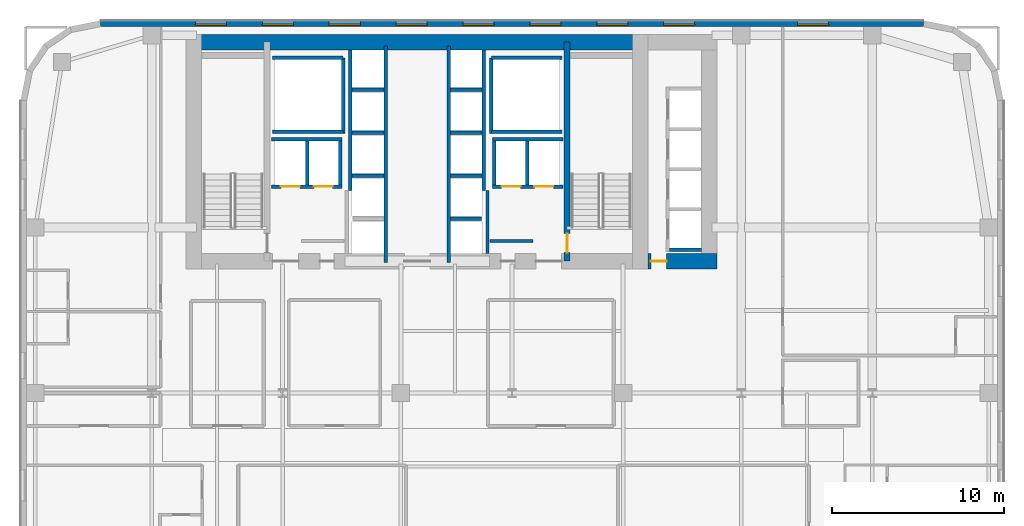
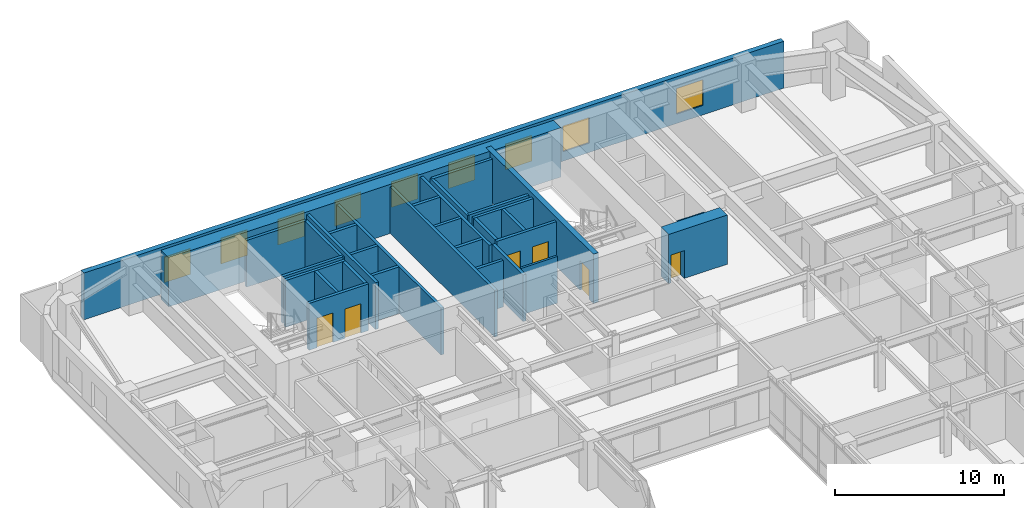
# One storey, part 18 of 25: 32 walls, 9 windows, 6 doors, 15 openings.
"""IFC4 building model written with IfcOpenShell, lengths in metres."""

from ifc_helpers import new_model, si_unit, direction, frame, frame_2d, origin, place, context, subcontext, project, spatial, rectangle, extrude, source, transform, mapped, material, layer, layer_set, type_object, type_shapes, element, fill, save


model = new_model("IFC4")

# Units and contexts
model_context = context("Model", 3, precision=1e-05, world=origin(), true_north=direction((0.0, 1.0)))
body_context = subcontext(model_context, "Body", "Model", "MODEL_VIEW")
ifc_project = project(units=[si_unit("LENGTHUNIT", "METRE"), si_unit("AREAUNIT", "SQUARE_METRE"), si_unit("VOLUMEUNIT", "CUBIC_METRE"), si_unit("PLANEANGLEUNIT", "RADIAN"), si_unit("MASSUNIT", "GRAM", prefix="KILO")], contexts=[model_context])

# Site, building, storey
site_placement = place(None, origin())
site = spatial("IfcSite", under=ifc_project, at=site_placement, CompositionType="ELEMENT")
building_placement = place(site_placement, origin())
building = spatial("IfcBuilding", under=site, at=building_placement, Name="Tolvann Quenvar Hotel", CompositionType="ELEMENT")
storey_placement = place(building_placement, frame((0.0, 0.0, 60.39990234375)))
storey = spatial("IfcBuildingStorey", under=building, at=storey_placement, Name="L14", CompositionType="ELEMENT", Elevation=60.39990234375)

# Wall
ifc_material_1 = material(Name="Concrete S80 (80 MPa)", Category="concrete")
ifc_layer_1 = layer(ifc_material_1, 0.89990234375)
ifc_layer_set_1 = layer_set([ifc_layer_1], Name="Concrete S80 (80 MPa)")
wall_type_1 = type_object("IfcWallType", Name="WALL_CORE_900", PredefinedType="SHEAR", material=ifc_layer_set_1)
wall_1_placement = place(storey_placement, frame((9.60009765625, 44.75, 0.0), z_axis=(0.0, 0.0, 1.0), x_axis=(1.0, 0.0, 0.0)))
element("IfcWall", 1, at=wall_1_placement, inside=storey, type_object=wall_type_1, Name="Rear Core N Shear Wall (L14)", PredefinedType="SHEAR", context=body_context, shape_type="SweptSolid", body=[
    extrude(rectangle(XDim=26.7998046875, YDim=0.89990234375, at=frame_2d((13.39990234375, 0.0))), origin(), (0.0, 0.0, 1.0), 3.550048828125),
])

# Wall, opening, door
wall_2_placement = place(storey_placement, frame((36.39990234375, 32.050048828125, 0.0), z_axis=(0.0, 0.0, 1.0), x_axis=(1.0, 0.0, 0.0)))
wall_2 = element("IfcWall", 2, at=wall_2_placement, inside=storey, type_object=wall_type_1, Name="Core East Annex Shear Wall ANN-S (L14)", PredefinedType="SHEAR", context=body_context, shape_type="SweptSolid", body=[
    extrude(rectangle(XDim=4.0, YDim=0.89990234375, at=frame_2d((2.0, 0.0))), origin(), (0.0, 0.0, 1.0), 3.550048828125),
])
opening_1_placement = place(wall_2_placement, frame((1.06982421875, 0.0, 0.0), z_axis=(0.0, 0.0, 1.0), x_axis=(-1.0, 0.0, 0.0)))
opening_1 = element("IfcOpeningElement", 3, at=opening_1_placement, cuts=wall_2, Name="Opening WD-01", PredefinedType="OPENING", context=body_context, shape_type="SweptSolid", body=[
    extrude(rectangle(XDim=0.919921875, YDim=2.010009765625, at=frame_2d((0.4599609375, 1.0048828125))), frame((0.0, 0.4599609375, 0.0), z_axis=(0.0, -1.0, 0.0), x_axis=(1.0, 0.0, 0.0)), (0.0, 0.0, 1.0), 0.919921875),
])
ifc_material_2 = material(Name="Solid-core American oak acoustic fire door leaf in steel frame", Category="steel")
door_type_1 = type_object("IfcDoorType", Name="DOOR_WC_920", OperationType="NOTDEFINED", PredefinedType="DOOR", material=ifc_material_2)
shared_shape_1 = source(origin(), body_context, "Body", "SweptSolid", [
    extrude(rectangle(XDim=0.919921875, YDim=2.010009765625, at=frame_2d((0.4599609375, 1.0048828125))), frame((0.0, 0.02490234375, 0.0), z_axis=(0.0, -1.0, 0.0), x_axis=(1.0, 0.0, 0.0)), (0.0, 0.0, 1.0), 0.050048828125),
])
type_shapes(door_type_1, [shared_shape_1])
door_1_placement = place(opening_1_placement, origin())
door_1 = element("IfcDoor", 4, at=door_1_placement, inside=storey, type_object=door_type_1, Name="Low-Rise Lift Lobby Fire Door (L14)", OperationType="SINGLE_SWING_RIGHT", OverallHeight=2.010009765625, OverallWidth=0.919921875, PredefinedType="DOOR", context=body_context, shape_type="MappedRepresentation", body=[
    mapped(shared_shape_1, transform((0.0, 0.0, 0.0), x_axis=(1.0, 0.0, 0.0), y_axis=(0.0, 1.0, 0.0), z_axis=(0.0, 0.0, 1.0), scale=1.0)),
])
fill(opening_1, door_1)

ifc_material_3 = material(Name="Concrete S65 (65 MPa)", Category="concrete")
ifc_layer_2 = layer(ifc_material_3, 0.35009765625)
ifc_layer_set_2 = layer_set([ifc_layer_2], Name="Concrete S65 (65 MPa)")
wall_type_2 = type_object("IfcWallType", Name="WALL_CORE_INT_350", PredefinedType="SHEAR", material=ifc_layer_set_2)
wall_3_placement = place(storey_placement, frame((31.699951171875, 32.050048828125, 0.0), z_axis=(0.0, 0.0, 1.0), x_axis=(0.0, 1.0, 0.0)))
wall_3 = element("IfcWall", 5, at=wall_3_placement, inside=storey, type_object=wall_type_2, Name="Core Internal Web Shear Wall WEB-E (L14)", PredefinedType="SHEAR", context=body_context, shape_type="SweptSolid", body=[
    extrude(rectangle(XDim=12.699951171875, YDim=0.35009765625, at=frame_2d((6.35009765625, 0.0))), origin(), (0.0, 0.0, 1.0), 3.550048828125),
])
opening_2_placement = place(wall_3_placement, frame((1.60009765625, 0.0, 0.0), z_axis=(0.0, 0.0, 1.0), x_axis=(-1.0, 0.0, 0.0)))
opening_2 = element("IfcOpeningElement", 6, at=opening_2_placement, cuts=wall_3, Name="Opening FD-120", PredefinedType="OPENING", context=body_context, shape_type="SweptSolid", body=[
    extrude(rectangle(XDim=1.10009765625, YDim=2.1201171875, at=frame_2d((0.550048828125, 1.06005859375))), frame((0.0, 0.18505859375, 0.0), z_axis=(0.0, -1.0, 0.0), x_axis=(1.0, 0.0, 0.0)), (0.0, 0.0, 1.0), 0.3701171875),
])
ifc_material_4 = material(Name="Pressed galvanised steel fire-rated door set", Category="steel")
door_type_2 = type_object("IfcDoorType", Name="DOOR_FIRE_STAIR_1100", OperationType="NOTDEFINED", PredefinedType="DOOR", material=ifc_material_4)
shared_shape_2 = source(origin(), body_context, "Body", "SweptSolid", [
    extrude(rectangle(XDim=1.10009765625, YDim=2.1201171875, at=frame_2d((0.550048828125, 1.06005859375))), frame((0.0, 0.02490234375, 0.0), z_axis=(0.0, -1.0, 0.0), x_axis=(1.0, 0.0, 0.0)), (0.0, 0.0, 1.0), 0.050048828125),
])
type_shapes(door_type_2, [shared_shape_2])
door_2_placement = place(opening_2_placement, origin())
door_2 = element("IfcDoor", 7, at=door_2_placement, inside=storey, type_object=door_type_2, Name="Exit Stair ST-C2 Fire Door (L14)", OperationType="SINGLE_SWING_LEFT", OverallHeight=2.1201171875, OverallWidth=1.10009765625, PredefinedType="DOOR", context=body_context, shape_type="MappedRepresentation", body=[
    mapped(shared_shape_2, transform((0.0, 0.0, 0.0), x_axis=(1.0, 0.0, 0.0), y_axis=(0.0, 1.0, 0.0), z_axis=(0.0, 0.0, 1.0), scale=1.0)),
])
fill(opening_2, door_2)

# Wall, openings, windows
ifc_material_5 = material(Name="Kiln-fired red and buff architectural clay brickwork and terracotta masonry", Category="masonry")
ifc_layer_3 = layer(ifc_material_5, 0.35009765625)
ifc_layer_set_3 = layer_set([ifc_layer_3], Name="Kiln-fired red and buff architectural clay brickwork and terracotta masonry")
wall_type_3 = type_object("IfcWallType", Name="WALL_EXT_BRICK_350", PredefinedType="SOLIDWALL", material=ifc_layer_set_3)
wall_4_placement = place(storey_placement, frame((52.3828125, 45.824951171875, 0.0), z_axis=(0.0, 0.0, 1.0), x_axis=(-1.0, 0.0, 0.0)))
wall_4 = element("IfcWall", 8, at=wall_4_placement, inside=storey, type_object=wall_type_3, Name="Exterior Chicago Brick Wall L14-E18", PredefinedType="SOLIDWALL", context=body_context, shape_type="SweptSolid", body=[
    extrude(rectangle(XDim=47.765625, YDim=0.35009765625, at=frame_2d((23.8828125, 0.0))), origin(), (0.0, 0.0, 1.0), 3.3701171875),
])
opening_3_placement = place(wall_4_placement, frame((5.52099609375, 0.0, 0.679931640625)))
opening_3 = element("IfcOpeningElement", 9, at=opening_3_placement, cuts=wall_4, Name="Opening W-03", PredefinedType="OPENING", context=body_context, shape_type="SweptSolid", body=[
    extrude(rectangle(XDim=1.800048828125, YDim=1.85009765625, at=frame_2d((0.89990234375, 0.925048828125))), frame((0.0, 0.18505859375, 0.0), z_axis=(0.0, -1.0, 0.0), x_axis=(1.0, 0.0, 0.0)), (0.0, 0.0, 1.0), 0.3701171875),
])
opening_4_placement = place(wall_4_placement, frame((13.281982421875, 0.0, 0.679931640625)))
opening_4 = element("IfcOpeningElement", 10, at=opening_4_placement, cuts=wall_4, Name="Opening W-03", PredefinedType="OPENING", context=body_context, shape_type="SweptSolid", body=[
    extrude(rectangle(XDim=1.800048828125, YDim=1.85009765625, at=frame_2d((0.89990234375, 0.925048828125))), frame((0.0, 0.18505859375, 0.0), z_axis=(0.0, -1.0, 0.0), x_axis=(1.0, 0.0, 0.0)), (0.0, 0.0, 1.0), 0.3701171875),
])
opening_5_placement = place(wall_4_placement, frame((17.162109375, 0.0, 0.679931640625)))
opening_5 = element("IfcOpeningElement", 11, at=opening_5_placement, cuts=wall_4, Name="Opening W-03", PredefinedType="OPENING", context=body_context, shape_type="SweptSolid", body=[
    extrude(rectangle(XDim=1.800048828125, YDim=1.85009765625, at=frame_2d((0.89990234375, 0.925048828125))), frame((0.0, 0.18505859375, 0.0), z_axis=(0.0, -1.0, 0.0), x_axis=(1.0, 0.0, 0.0)), (0.0, 0.0, 1.0), 0.3701171875),
])
opening_6_placement = place(wall_4_placement, frame((21.04296875, 0.0, 0.679931640625)))
opening_6 = element("IfcOpeningElement", 12, at=opening_6_placement, cuts=wall_4, Name="Opening W-03", PredefinedType="OPENING", context=body_context, shape_type="SweptSolid", body=[
    extrude(rectangle(XDim=1.800048828125, YDim=1.85009765625, at=frame_2d((0.89990234375, 0.925048828125))), frame((0.0, 0.18505859375, 0.0), z_axis=(0.0, -1.0, 0.0), x_axis=(1.0, 0.0, 0.0)), (0.0, 0.0, 1.0), 0.3701171875),
])
opening_7_placement = place(wall_4_placement, frame((24.923095703125, 0.0, 0.679931640625)))
opening_7 = element("IfcOpeningElement", 13, at=opening_7_placement, cuts=wall_4, Name="Opening W-03", PredefinedType="OPENING", context=body_context, shape_type="SweptSolid", body=[
    extrude(rectangle(XDim=1.800048828125, YDim=1.85009765625, at=frame_2d((0.89990234375, 0.925048828125))), frame((0.0, 0.18505859375, 0.0), z_axis=(0.0, -1.0, 0.0), x_axis=(1.0, 0.0, 0.0)), (0.0, 0.0, 1.0), 0.3701171875),
])
opening_8_placement = place(wall_4_placement, frame((28.803955078125, 0.0, 0.679931640625)))
opening_8 = element("IfcOpeningElement", 14, at=opening_8_placement, cuts=wall_4, Name="Opening W-03", PredefinedType="OPENING", context=body_context, shape_type="SweptSolid", body=[
    extrude(rectangle(XDim=1.800048828125, YDim=1.85009765625, at=frame_2d((0.89990234375, 0.925048828125))), frame((0.0, 0.18505859375, 0.0), z_axis=(0.0, -1.0, 0.0), x_axis=(1.0, 0.0, 0.0)), (0.0, 0.0, 1.0), 0.3701171875),
])
opening_9_placement = place(wall_4_placement, frame((32.68408203125, 0.0, 0.679931640625)))
opening_9 = element("IfcOpeningElement", 15, at=opening_9_placement, cuts=wall_4, Name="Opening W-03", PredefinedType="OPENING", context=body_context, shape_type="SweptSolid", body=[
    extrude(rectangle(XDim=1.800048828125, YDim=1.85009765625, at=frame_2d((0.89990234375, 0.925048828125))), frame((0.0, 0.18505859375, 0.0), z_axis=(0.0, -1.0, 0.0), x_axis=(1.0, 0.0, 0.0)), (0.0, 0.0, 1.0), 0.3701171875),
])
opening_10_placement = place(wall_4_placement, frame((36.56396484375, 0.0, 0.679931640625)))
opening_10 = element("IfcOpeningElement", 16, at=opening_10_placement, cuts=wall_4, Name="Opening W-03", PredefinedType="OPENING", context=body_context, shape_type="SweptSolid", body=[
    extrude(rectangle(XDim=1.800048828125, YDim=1.85009765625, at=frame_2d((0.89990234375, 0.925048828125))), frame((0.0, 0.18505859375, 0.0), z_axis=(0.0, -1.0, 0.0), x_axis=(1.0, 0.0, 0.0)), (0.0, 0.0, 1.0), 0.3701171875),
])
opening_11_placement = place(wall_4_placement, frame((40.445068359375, 0.0, 0.679931640625)))
opening_11 = element("IfcOpeningElement", 17, at=opening_11_placement, cuts=wall_4, Name="Opening W-03", PredefinedType="OPENING", context=body_context, shape_type="SweptSolid", body=[
    extrude(rectangle(XDim=1.800048828125, YDim=1.85009765625, at=frame_2d((0.89990234375, 0.925048828125))), frame((0.0, 0.18505859375, 0.0), z_axis=(0.0, -1.0, 0.0), x_axis=(1.0, 0.0, 0.0)), (0.0, 0.0, 1.0), 0.3701171875),
])
ifc_material_6 = material(Name="Thermally broken bronze-anodised aluminium frame with double low-E glazing", Category="aluminium")
window_type = type_object("IfcWindowType", Name="WIN_CHI_1800x2050", PartitioningType="TRIPLE_PANEL_HORIZONTAL", PredefinedType="WINDOW", material=ifc_material_6)
shared_shape_3 = source(origin(), body_context, "Body", "SweptSolid", [
    extrude(rectangle(XDim=1.800048828125, YDim=1.85009765625, at=frame_2d((0.89990234375, 0.925048828125))), frame((0.0, 0.090087890625, 0.0), z_axis=(0.0, -1.0, 0.0), x_axis=(1.0, 0.0, 0.0)), (0.0, 0.0, 1.0), 0.06005859375),
])
type_shapes(window_type, [shared_shape_3])
window_1_placement = place(opening_3_placement, origin())
window_1 = element("IfcWindow", 18, at=window_1_placement, inside=storey, type_object=window_type, Name="Chicago Window W-03 (EW-L14-E18-W01)", OverallHeight=1.85009765625, OverallWidth=1.800048828125, PartitioningType="TRIPLE_PANEL_HORIZONTAL", PredefinedType="WINDOW", context=body_context, shape_type="MappedRepresentation", body=[
    mapped(shared_shape_3, transform((0.0, 0.0, 0.0), x_axis=(1.0, 0.0, 0.0), y_axis=(0.0, 1.0, 0.0), z_axis=(0.0, 0.0, 1.0), scale=1.0)),
])
fill(opening_3, window_1)
window_2_placement = place(opening_4_placement, origin())
window_2 = element("IfcWindow", 19, at=window_2_placement, inside=storey, type_object=window_type, Name="Chicago Window W-03 (EW-L14-E18-W02)", OverallHeight=1.85009765625, OverallWidth=1.800048828125, PartitioningType="TRIPLE_PANEL_HORIZONTAL", PredefinedType="WINDOW", context=body_context, shape_type="MappedRepresentation", body=[
    mapped(shared_shape_3, transform((0.0, 0.0, 0.0), x_axis=(1.0, 0.0, 0.0), y_axis=(0.0, 1.0, 0.0), z_axis=(0.0, 0.0, 1.0), scale=1.0)),
])
fill(opening_4, window_2)
window_3_placement = place(opening_5_placement, origin())
window_3 = element("IfcWindow", 20, at=window_3_placement, inside=storey, type_object=window_type, Name="Chicago Window W-03 (EW-L14-E18-W03)", OverallHeight=1.85009765625, OverallWidth=1.800048828125, PartitioningType="TRIPLE_PANEL_HORIZONTAL", PredefinedType="WINDOW", context=body_context, shape_type="MappedRepresentation", body=[
    mapped(shared_shape_3, transform((0.0, 0.0, 0.0), x_axis=(1.0, 0.0, 0.0), y_axis=(0.0, 1.0, 0.0), z_axis=(0.0, 0.0, 1.0), scale=1.0)),
])
fill(opening_5, window_3)
window_4_placement = place(opening_6_placement, origin())
window_4 = element("IfcWindow", 21, at=window_4_placement, inside=storey, type_object=window_type, Name="Chicago Window W-03 (EW-L14-E18-W04)", OverallHeight=1.85009765625, OverallWidth=1.800048828125, PartitioningType="TRIPLE_PANEL_HORIZONTAL", PredefinedType="WINDOW", context=body_context, shape_type="MappedRepresentation", body=[
    mapped(shared_shape_3, transform((0.0, 0.0, 0.0), x_axis=(1.0, 0.0, 0.0), y_axis=(0.0, 1.0, 0.0), z_axis=(0.0, 0.0, 1.0), scale=1.0)),
])
fill(opening_6, window_4)
window_5_placement = place(opening_7_placement, origin())
window_5 = element("IfcWindow", 22, at=window_5_placement, inside=storey, type_object=window_type, Name="Chicago Window W-03 (EW-L14-E18-W05)", OverallHeight=1.85009765625, OverallWidth=1.800048828125, PartitioningType="TRIPLE_PANEL_HORIZONTAL", PredefinedType="WINDOW", context=body_context, shape_type="MappedRepresentation", body=[
    mapped(shared_shape_3, transform((0.0, 0.0, 0.0), x_axis=(1.0, 0.0, 0.0), y_axis=(0.0, 1.0, 0.0), z_axis=(0.0, 0.0, 1.0), scale=1.0)),
])
fill(opening_7, window_5)
window_6_placement = place(opening_8_placement, origin())
window_6 = element("IfcWindow", 23, at=window_6_placement, inside=storey, type_object=window_type, Name="Chicago Window W-03 (EW-L14-E18-W06)", OverallHeight=1.85009765625, OverallWidth=1.800048828125, PartitioningType="TRIPLE_PANEL_HORIZONTAL", PredefinedType="WINDOW", context=body_context, shape_type="MappedRepresentation", body=[
    mapped(shared_shape_3, transform((0.0, 0.0, 0.0), x_axis=(1.0, 0.0, 0.0), y_axis=(0.0, 1.0, 0.0), z_axis=(0.0, 0.0, 1.0), scale=1.0)),
])
fill(opening_8, window_6)
window_7_placement = place(opening_9_placement, origin())
window_7 = element("IfcWindow", 24, at=window_7_placement, inside=storey, type_object=window_type, Name="Chicago Window W-03 (EW-L14-E18-W07)", OverallHeight=1.85009765625, OverallWidth=1.800048828125, PartitioningType="TRIPLE_PANEL_HORIZONTAL", PredefinedType="WINDOW", context=body_context, shape_type="MappedRepresentation", body=[
    mapped(shared_shape_3, transform((0.0, 0.0, 0.0), x_axis=(1.0, 0.0, 0.0), y_axis=(0.0, 1.0, 0.0), z_axis=(0.0, 0.0, 1.0), scale=1.0)),
])
fill(opening_9, window_7)
window_8_placement = place(opening_10_placement, origin())
window_8 = element("IfcWindow", 25, at=window_8_placement, inside=storey, type_object=window_type, Name="Chicago Window W-03 (EW-L14-E18-W08)", OverallHeight=1.85009765625, OverallWidth=1.800048828125, PartitioningType="TRIPLE_PANEL_HORIZONTAL", PredefinedType="WINDOW", context=body_context, shape_type="MappedRepresentation", body=[
    mapped(shared_shape_3, transform((0.0, 0.0, 0.0), x_axis=(1.0, 0.0, 0.0), y_axis=(0.0, 1.0, 0.0), z_axis=(0.0, 0.0, 1.0), scale=1.0)),
])
fill(opening_10, window_8)
window_9_placement = place(opening_11_placement, origin())
window_9 = element("IfcWindow", 26, at=window_9_placement, inside=storey, type_object=window_type, Name="Chicago Window W-03 (EW-L14-E18-W09)", OverallHeight=1.85009765625, OverallWidth=1.800048828125, PartitioningType="TRIPLE_PANEL_HORIZONTAL", PredefinedType="WINDOW", context=body_context, shape_type="MappedRepresentation", body=[
    mapped(shared_shape_3, transform((0.0, 0.0, 0.0), x_axis=(1.0, 0.0, 0.0), y_axis=(0.0, 1.0, 0.0), z_axis=(0.0, 0.0, 1.0), scale=1.0)),
])
fill(opening_11, window_9)

# Walls
ifc_material_7 = material(Name="Acoustic twin-stud fire-rated gypsum plasterboard partition")
ifc_layer_4 = layer(ifc_material_7, 0.14990234375)
ifc_layer_set_4 = layer_set([ifc_layer_4], Name="Acoustic twin-stud fire-rated gypsum plasterboard partition")
wall_type_4 = type_object("IfcWallType", Name="WALL_PART_SUITE_150", PredefinedType="PARTITIONING", material=ifc_layer_set_4)
wall_5_placement = place(storey_placement, frame((27.235107421875, 33.219970703125, 0.0), z_axis=(0.0, 0.0, 1.0), x_axis=(1.0, 0.0, 0.0)))
element("IfcWall", 27, at=wall_5_placement, inside=storey, type_object=wall_type_4, Name="Interior Partition PT-SPC-L14-CSE-2-N", PredefinedType="PARTITIONING", context=body_context, shape_type="SweptSolid", body=[
    extrude(rectangle(XDim=2.48486328125, YDim=0.14990234375, at=frame_2d((1.242431640625, 0.0))), origin(), (0.0, 0.0, 1.0), 3.3701171875),
])
ifc_material_8 = material(Name="Concrete N40 (40 MPa)", Category="concrete")
ifc_layer_5 = layer(ifc_material_8, 0.199951171875)
ifc_layer_set_5 = layer_set([ifc_layer_5], Name="Concrete N40 (40 MPa)")
wall_type_5 = type_object("IfcWallType", Name="WALL_SHAFT_200", PredefinedType="SOLIDWALL", material=ifc_layer_set_5)
wall_6_placement = place(storey_placement, frame((18.699951171875, 39.449951171875, 0.0), z_axis=(0.0, 0.0, 1.0), x_axis=(0.0, 1.0, 0.0)))
element("IfcWall", 28, at=wall_6_placement, inside=storey, type_object=wall_type_5, Name="Service Riser W Shaft Wall IN (L14)", PredefinedType="SOLIDWALL", context=body_context, shape_type="SweptSolid", body=[
    extrude(rectangle(XDim=4.400146484375, YDim=0.199951171875, at=frame_2d((2.2001953125, 0.0))), origin(), (0.0, 0.0, 1.0), 3.3701171875),
])
for number, where, z_axis, x_axis, name in (
    (29, (14.60009765625, 39.550048828125, 0.0), (0.0, 0.0, 1.0), (1.0, 0.0, 0.0), "Service Riser W Shaft Wall S (L14)"),
    (30, (14.60009765625, 43.85009765625, 0.0), (0.0, 0.0, 1.0), (1.0, 0.0, 0.0), "Service Riser W Shaft Wall N (L14)"),
):
    element("IfcWall", number, at=place(storey_placement, frame(where, z_axis=z_axis, x_axis=x_axis)), inside=storey, type_object=wall_type_5, Name=name, PredefinedType="SOLIDWALL", context=body_context, shape_type="SweptSolid", body=[
        extrude(rectangle(XDim=4.099853515625, YDim=0.199951171875, at=frame_2d((2.0498046875, 0.0))), origin(), (0.0, 0.0, 1.0), 3.3701171875),
    ])
wall_7_placement = place(storey_placement, frame((27.300048828125, 39.449951171875, 0.0), z_axis=(0.0, 0.0, 1.0), x_axis=(0.0, 1.0, 0.0)))
element("IfcWall", 31, at=wall_7_placement, inside=storey, type_object=wall_type_5, Name="Service Riser E Shaft Wall IN (L14)", PredefinedType="SOLIDWALL", context=body_context, shape_type="SweptSolid", body=[
    extrude(rectangle(XDim=4.400146484375, YDim=0.199951171875, at=frame_2d((2.2001953125, 0.0))), origin(), (0.0, 0.0, 1.0), 3.3701171875),
])
for number, where, z_axis, x_axis, name in (
    (32, (27.300048828125, 39.550048828125, 0.0), (0.0, 0.0, 1.0), (1.0, 0.0, 0.0), "Service Riser E Shaft Wall S (L14)"),
    (33, (27.300048828125, 43.85009765625, 0.0), (0.0, 0.0, 1.0), (1.0, 0.0, 0.0), "Service Riser E Shaft Wall N (L14)"),
):
    element("IfcWall", number, at=place(storey_placement, frame(where, z_axis=z_axis, x_axis=x_axis)), inside=storey, type_object=wall_type_5, Name=name, PredefinedType="SOLIDWALL", context=body_context, shape_type="SweptSolid", body=[
        extrude(rectangle(XDim=4.099853515625, YDim=0.199951171875, at=frame_2d((2.0498046875, 0.0))), origin(), (0.0, 0.0, 1.0), 3.3701171875),
    ])
wall_8_placement = place(storey_placement, frame((27.080078125, 32.50390625, 0.0), z_axis=(0.0, 0.0, 1.0), x_axis=(0.0, 1.0, 0.0)))
element("IfcWall", 34, at=wall_8_placement, inside=storey, type_object=wall_type_5, Name="Firefighting Lobby E Inner Fire Wall (L14)", PredefinedType="SOLIDWALL", context=body_context, shape_type="SweptSolid", body=[
    extrude(rectangle(XDim=3.64599609375, YDim=0.199951171875, at=frame_2d((1.822998046875, 0.0))), origin(), (0.0, 0.0, 1.0), 3.3701171875),
])
wall_9_placement = place(storey_placement, frame((21.169921875, 31.9599609375, 0.0), z_axis=(0.0, 0.0, 1.0), x_axis=(0.0, 1.0, 0.0)))
element("IfcWall", 35, at=wall_9_placement, inside=storey, type_object=wall_type_5, Name="Lift Bank E21.1C1 Hoistway Front Wall (L14)", PredefinedType="SOLIDWALL", context=body_context, shape_type="SweptSolid", body=[
    extrude(rectangle(XDim=12.580078125, YDim=0.199951171875, at=frame_2d((6.2900390625, 0.0))), origin(), (0.0, 0.0, 1.0), 3.3701171875),
])
wall_10_placement = place(storey_placement, frame((19.1298828125, 36.159912109375, 0.0), z_axis=(0.0, 0.0, 1.0), x_axis=(0.0, 1.0, 0.0)))
element("IfcWall", 36, at=wall_10_placement, inside=storey, type_object=wall_type_5, Name="Lift Bank E21.1C1 Hoistway Rear Wall (L14)", PredefinedType="SOLIDWALL", context=body_context, shape_type="SweptSolid", body=[
    extrude(rectangle(XDim=8.135986328125, YDim=0.199951171875, at=frame_2d((4.06787109375, 0.0))), origin(), (0.0, 0.0, 1.0), 3.3701171875),
])
for number, where, z_axis, x_axis, name in (
    (37, (19.22998046875, 37.0, 0.0), (0.0, 0.0, 1.0), (1.0, 0.0, 0.0), "Lift Bank E21.1C1 Divider Wall 2 (L14)"),
    (38, (19.22998046875, 39.5, 0.0), (0.0, 0.0, 1.0), (1.0, 0.0, 0.0), "Lift Bank E21.1C1 Divider Wall 3 (L14)"),
    (39, (19.22998046875, 42.0, 0.0), (0.0, 0.0, 1.0), (1.0, 0.0, 0.0), "Lift Bank E21.1C1 Divider Wall 4 (L14)"),
):
    element("IfcWall", number, at=place(storey_placement, frame(where, z_axis=z_axis, x_axis=x_axis)), inside=storey, type_object=wall_type_5, Name=name, PredefinedType="SOLIDWALL", context=body_context, shape_type="SweptSolid", body=[
        extrude(rectangle(XDim=1.840087890625, YDim=0.199951171875, at=frame_2d((0.919921875, 0.0))), origin(), (0.0, 0.0, 1.0), 3.3701171875),
    ])

# Wall, openings, doors
wall_11_placement = place(storey_placement, frame((27.375, 36.3798828125, 0.0), z_axis=(0.0, 0.0, 1.0), x_axis=(1.0, 0.0, 0.0)))
wall_11 = element("IfcWall", 40, at=wall_11_placement, inside=storey, type_object=wall_type_5, Name="Lift Bank SEC1 Hoistway Front Wall (L14)", PredefinedType="SOLIDWALL", context=body_context, shape_type="SweptSolid", body=[
    extrude(rectangle(XDim=4.074951171875, YDim=0.199951171875, at=frame_2d((2.03759765625, 0.0))), origin(), (0.0, 0.0, 1.0), 3.3701171875),
])
opening_12_placement = place(wall_11_placement, frame((0.52490234375, 0.0, 0.0)))
opening_12 = element("IfcOpeningElement", 41, at=opening_12_placement, cuts=wall_11, Name="Opening LD-01", PredefinedType="OPENING", context=body_context, shape_type="SweptSolid", body=[
    extrude(rectangle(XDim=1.10009765625, YDim=2.1201171875, at=frame_2d((0.550048828125, 1.06005859375))), frame((0.0, 0.10986328125, 0.0), z_axis=(0.0, -1.0, 0.0), x_axis=(1.0, 0.0, 0.0)), (0.0, 0.0, 1.0), 0.219970703125),
])
opening_13_placement = place(wall_11_placement, frame((2.425048828125, 0.0, 0.0)))
opening_13 = element("IfcOpeningElement", 42, at=opening_13_placement, cuts=wall_11, Name="Opening LD-01", PredefinedType="OPENING", context=body_context, shape_type="SweptSolid", body=[
    extrude(rectangle(XDim=1.10009765625, YDim=2.1201171875, at=frame_2d((0.550048828125, 1.06005859375))), frame((0.0, 0.10986328125, 0.0), z_axis=(0.0, -1.0, 0.0), x_axis=(1.0, 0.0, 0.0)), (0.0, 0.0, 1.0), 0.219970703125),
])
ifc_material_9 = material(Name="Brushed 316 stainless steel automatic sliding lift landing door", Category="steel")
door_type_3 = type_object("IfcDoorType", Name="DOOR_LIFT_SLIDE_1100", OperationType="NOTDEFINED", PredefinedType="DOOR", material=ifc_material_9)
shared_shape_4 = source(origin(), body_context, "Body", "SweptSolid", [
    extrude(rectangle(XDim=1.10009765625, YDim=2.1201171875, at=frame_2d((0.550048828125, 1.06005859375))), frame((0.0, 0.02490234375, 0.0), z_axis=(0.0, -1.0, 0.0), x_axis=(1.0, 0.0, 0.0)), (0.0, 0.0, 1.0), 0.050048828125),
])
type_shapes(door_type_3, [shared_shape_4])
door_3_placement = place(opening_12_placement, origin())
door_3 = element("IfcDoor", 43, at=door_3_placement, inside=storey, type_object=door_type_3, Name="Lift SV-2 Sliding Landing Door (L14)", OperationType="SLIDING_TO_LEFT", OverallHeight=2.1201171875, OverallWidth=1.10009765625, PredefinedType="DOOR", context=body_context, shape_type="MappedRepresentation", body=[
    mapped(shared_shape_4, transform((0.0, 0.0, 0.0), x_axis=(1.0, 0.0, 0.0), y_axis=(0.0, 1.0, 0.0), z_axis=(0.0, 0.0, 1.0), scale=1.0)),
])
fill(opening_12, door_3)
door_4_placement = place(opening_13_placement, origin())
door_4 = element("IfcDoor", 44, at=door_4_placement, inside=storey, type_object=door_type_3, Name="Lift FF-2 Sliding Landing Door (L14)", OperationType="SLIDING_TO_RIGHT", OverallHeight=2.1201171875, OverallWidth=1.10009765625, PredefinedType="DOOR", context=body_context, shape_type="MappedRepresentation", body=[
    mapped(shared_shape_4, transform((0.0, 0.0, 0.0), x_axis=(1.0, 0.0, 0.0), y_axis=(0.0, 1.0, 0.0), z_axis=(0.0, 0.0, 1.0), scale=1.0)),
])
fill(opening_13, door_4)

# Walls
wall_12_placement = place(storey_placement, frame((27.375, 39.1201171875, 0.0), z_axis=(0.0, 0.0, 1.0), x_axis=(1.0, 0.0, 0.0)))
element("IfcWall", 45, at=wall_12_placement, inside=storey, type_object=wall_type_5, Name="Lift Bank SEC1 Hoistway Rear Wall (L14)", PredefinedType="SOLIDWALL", context=body_context, shape_type="SweptSolid", body=[
    extrude(rectangle(XDim=4.074951171875, YDim=0.199951171875, at=frame_2d((2.03759765625, 0.0))), origin(), (0.0, 0.0, 1.0), 3.3701171875),
])
for number, where, z_axis, x_axis, name in (
    (46, (27.47509765625, 36.47998046875, 0.0), (0.0, 0.0, 1.0), (0.0, 1.0, 0.0), "Lift Bank SEC1 Hoistway Cheek Wall 1 (L14)"),
    (47, (29.387451171875, 36.47998046875, 0.0), (0.0, 0.0, 1.0), (0.0, 1.0, 0.0), "Lift Bank SEC1 Divider Wall 1 (L14)"),
):
    element("IfcWall", number, at=place(storey_placement, frame(where, z_axis=z_axis, x_axis=x_axis)), inside=storey, type_object=wall_type_5, Name=name, PredefinedType="SOLIDWALL", context=body_context, shape_type="SweptSolid", body=[
        extrude(rectangle(XDim=2.5400390625, YDim=0.199951171875, at=frame_2d((1.27001953125, 0.0))), origin(), (0.0, 0.0, 1.0), 3.3701171875),
    ])

# Wall, openings, doors
wall_13_placement = place(storey_placement, frame((14.550048828125, 36.3798828125, 0.0), z_axis=(0.0, 0.0, 1.0), x_axis=(1.0, 0.0, 0.0)))
wall_13 = element("IfcWall", 48, at=wall_13_placement, inside=storey, type_object=wall_type_5, Name="Lift Bank SWC1 Hoistway Front Wall (L14)", PredefinedType="SOLIDWALL", context=body_context, shape_type="SweptSolid", body=[
    extrude(rectangle(XDim=4.074951171875, YDim=0.199951171875, at=frame_2d((2.03759765625, 0.0))), origin(), (0.0, 0.0, 1.0), 3.3701171875),
])
opening_14_placement = place(wall_13_placement, frame((0.550048828125, 0.0, 0.0)))
opening_14 = element("IfcOpeningElement", 49, at=opening_14_placement, cuts=wall_13, Name="Opening LD-01", PredefinedType="OPENING", context=body_context, shape_type="SweptSolid", body=[
    extrude(rectangle(XDim=1.10009765625, YDim=2.1201171875, at=frame_2d((0.550048828125, 1.06005859375))), frame((0.0, 0.10986328125, 0.0), z_axis=(0.0, -1.0, 0.0), x_axis=(1.0, 0.0, 0.0)), (0.0, 0.0, 1.0), 0.219970703125),
])
opening_15_placement = place(wall_13_placement, frame((2.449951171875, 0.0, 0.0)))
opening_15 = element("IfcOpeningElement", 50, at=opening_15_placement, cuts=wall_13, Name="Opening LD-01", PredefinedType="OPENING", context=body_context, shape_type="SweptSolid", body=[
    extrude(rectangle(XDim=1.10009765625, YDim=2.1201171875, at=frame_2d((0.550048828125, 1.06005859375))), frame((0.0, 0.10986328125, 0.0), z_axis=(0.0, -1.0, 0.0), x_axis=(1.0, 0.0, 0.0)), (0.0, 0.0, 1.0), 0.219970703125),
])
door_5_placement = place(opening_14_placement, origin())
door_5 = element("IfcDoor", 51, at=door_5_placement, inside=storey, type_object=door_type_3, Name="Lift FF-1 Sliding Landing Door (L14)", OperationType="SLIDING_TO_LEFT", OverallHeight=2.1201171875, OverallWidth=1.10009765625, PredefinedType="DOOR", context=body_context, shape_type="MappedRepresentation", body=[
    mapped(shared_shape_4, transform((0.0, 0.0, 0.0), x_axis=(1.0, 0.0, 0.0), y_axis=(0.0, 1.0, 0.0), z_axis=(0.0, 0.0, 1.0), scale=1.0)),
])
fill(opening_14, door_5)
door_6_placement = place(opening_15_placement, origin())
door_6 = element("IfcDoor", 52, at=door_6_placement, inside=storey, type_object=door_type_3, Name="Lift SV-1 Sliding Landing Door (L14)", OperationType="SLIDING_TO_RIGHT", OverallHeight=2.1201171875, OverallWidth=1.10009765625, PredefinedType="DOOR", context=body_context, shape_type="MappedRepresentation", body=[
    mapped(shared_shape_4, transform((0.0, 0.0, 0.0), x_axis=(1.0, 0.0, 0.0), y_axis=(0.0, 1.0, 0.0), z_axis=(0.0, 0.0, 1.0), scale=1.0)),
])
fill(opening_15, door_6)

# Walls
wall_14_placement = place(storey_placement, frame((14.550048828125, 39.1201171875, 0.0), z_axis=(0.0, 0.0, 1.0), x_axis=(1.0, 0.0, 0.0)))
element("IfcWall", 53, at=wall_14_placement, inside=storey, type_object=wall_type_5, Name="Lift Bank SWC1 Hoistway Rear Wall (L14)", PredefinedType="SOLIDWALL", context=body_context, shape_type="SweptSolid", body=[
    extrude(rectangle(XDim=4.074951171875, YDim=0.199951171875, at=frame_2d((2.03759765625, 0.0))), origin(), (0.0, 0.0, 1.0), 3.3701171875),
])
for number, where, z_axis, x_axis, name in (
    (54, (18.52490234375, 36.47998046875, 0.0), (0.0, 0.0, 1.0), (0.0, 1.0, 0.0), "Lift Bank SWC1 Hoistway Cheek Wall 2 (L14)"),
    (55, (16.612548828125, 36.47998046875, 0.0), (0.0, 0.0, 1.0), (0.0, 1.0, 0.0), "Lift Bank SWC1 Divider Wall 1 (L14)"),
):
    element("IfcWall", number, at=place(storey_placement, frame(where, z_axis=z_axis, x_axis=x_axis)), inside=storey, type_object=wall_type_5, Name=name, PredefinedType="SOLIDWALL", context=body_context, shape_type="SweptSolid", body=[
        extrude(rectangle(XDim=2.5400390625, YDim=0.199951171875, at=frame_2d((1.27001953125, 0.0))), origin(), (0.0, 0.0, 1.0), 3.3701171875),
    ])
wall_15_placement = place(storey_placement, frame((24.830078125, 31.9599609375, 0.0), z_axis=(0.0, 0.0, 1.0), x_axis=(0.0, 1.0, 0.0)))
element("IfcWall", 56, at=wall_15_placement, inside=storey, type_object=wall_type_5, Name="Lift Bank W24.9C1 Hoistway Front Wall (L14)", PredefinedType="SOLIDWALL", context=body_context, shape_type="SweptSolid", body=[
    extrude(rectangle(XDim=12.580078125, YDim=0.199951171875, at=frame_2d((6.2900390625, 0.0))), origin(), (0.0, 0.0, 1.0), 3.3701171875),
])
wall_16_placement = place(storey_placement, frame((26.8701171875, 36.159912109375, 0.0), z_axis=(0.0, 0.0, 1.0), x_axis=(0.0, 1.0, 0.0)))
element("IfcWall", 57, at=wall_16_placement, inside=storey, type_object=wall_type_5, Name="Lift Bank W24.9C1 Hoistway Rear Wall (L14)", PredefinedType="SOLIDWALL", context=body_context, shape_type="SweptSolid", body=[
    extrude(rectangle(XDim=8.135986328125, YDim=0.199951171875, at=frame_2d((4.06787109375, 0.0))), origin(), (0.0, 0.0, 1.0), 3.3701171875),
])
wall_17_placement = place(storey_placement, frame((24.929931640625, 34.5, 0.0), z_axis=(0.0, 0.0, 1.0), x_axis=(1.0, 0.0, 0.0)))
element("IfcWall", 58, at=wall_17_placement, inside=storey, type_object=wall_type_5, Name="Lift Bank W24.9C1 Divider Wall 1 (L14)", PredefinedType="SOLIDWALL", context=body_context, shape_type="SweptSolid", body=[
    extrude(rectangle(XDim=1.800048828125, YDim=0.199951171875, at=frame_2d((0.89990234375, 0.0))), origin(), (0.0, 0.0, 1.0), 3.3701171875),
])
for number, where, z_axis, x_axis, name in (
    (59, (24.929931640625, 37.0, 0.0), (0.0, 0.0, 1.0), (1.0, 0.0, 0.0), "Lift Bank W24.9C1 Divider Wall 2 (L14)"),
    (60, (24.929931640625, 39.5, 0.0), (0.0, 0.0, 1.0), (1.0, 0.0, 0.0), "Lift Bank W24.9C1 Divider Wall 3 (L14)"),
    (61, (24.929931640625, 42.0, 0.0), (0.0, 0.0, 1.0), (1.0, 0.0, 0.0), "Lift Bank W24.9C1 Divider Wall 4 (L14)"),
):
    element("IfcWall", number, at=place(storey_placement, frame(where, z_axis=z_axis, x_axis=x_axis)), inside=storey, type_object=wall_type_5, Name=name, PredefinedType="SOLIDWALL", context=body_context, shape_type="SweptSolid", body=[
        extrude(rectangle(XDim=1.840087890625, YDim=0.199951171875, at=frame_2d((0.919921875, 0.0))), origin(), (0.0, 0.0, 1.0), 3.3701171875),
    ])
wall_18_placement = place(storey_placement, frame((37.6298828125, 32.7099609375, 0.0), z_axis=(0.0, 0.0, 1.0), x_axis=(1.0, 0.0, 0.0)))
element("IfcWall", 62, at=wall_18_placement, inside=storey, type_object=wall_type_5, Name="Lift Bank W37.6C1 Hoistway Cheek Wall 1 (L14)", PredefinedType="SOLIDWALL", context=body_context, shape_type="SweptSolid", body=[
    extrude(rectangle(XDim=1.8701171875, YDim=0.199951171875, at=frame_2d((0.93505859375, 0.0))), origin(), (0.0, 0.0, 1.0), 3.3701171875),
])

save(model, "model.ifc")
